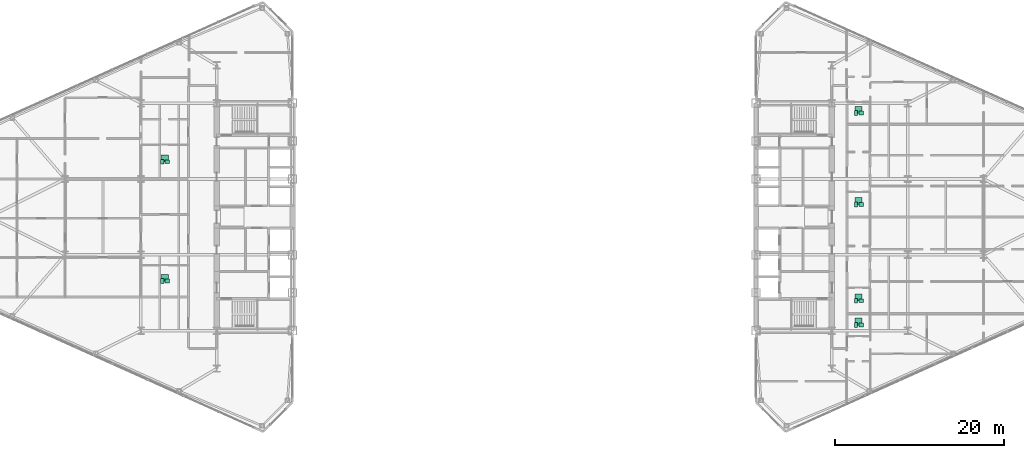
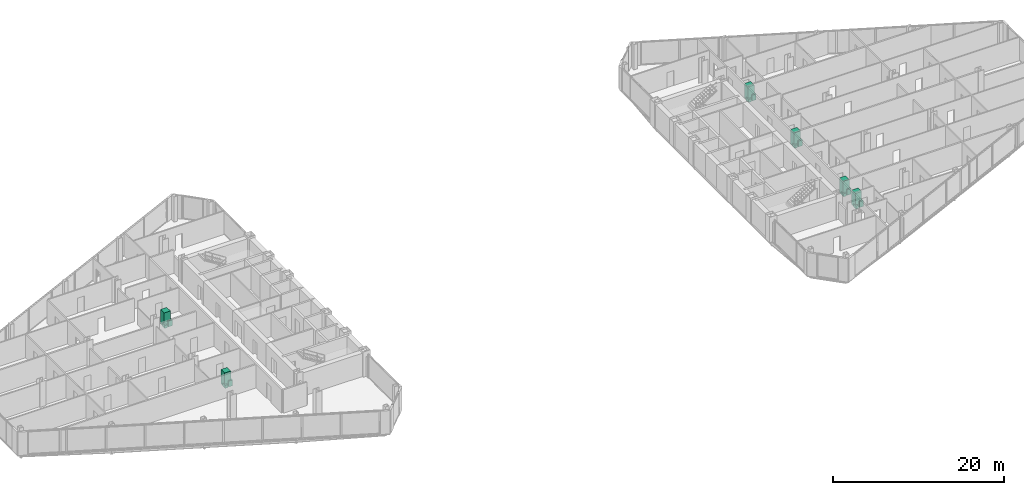
# One storey, part 27 of 27: 18 sanitary terminals.
"""IFC4 building model written with IfcOpenShell, lengths in metres."""

import ifcopenshell
import ifcopenshell.guid

model = None  # the IFC model being written
_history = None  # IfcOwnerHistory: only IFC2X3 demands one
_inside = {}  # id of a spatial element -> (the spatial element, [elements in it])
_under = {}  # id of a project, library or spatial element -> (it, [spatial elements below it])
_declared = {}  # id of a project -> (the project, [libraries it declares])
_typed = {}  # id of a type object -> (the type object, [elements of that type])
_made_of = {}  # id of a material, layer set ... -> (it, [elements and type objects made of it])


def new_model(schema):
    """Start an empty IFC model of exactly this schema.

    Asked for "IFC4X3", IfcOpenShell would pick the latest addendum, in which some entities
    have other attributes; the version numbers below select the first issue.
    IFC2X3 requires an IfcOwnerHistory on every rooted entity: one is made here for all.
    """
    global model, _history
    if schema == "IFC4X3":
        model = ifcopenshell.file(schema_version=(4, 3, 0, 0))
    else:
        model = ifcopenshell.file(schema=schema)
    _inside.clear()
    _under.clear()
    _declared.clear()
    _typed.clear()
    _made_of.clear()
    _history = None
    if model.schema == "IFC2X3":
        org = make("IfcOrganization", Name="unknown")
        user = make(
            "IfcPersonAndOrganization",
            ThePerson=make("IfcPerson", FamilyName="unknown"),
            TheOrganization=org,
        )
        app = make(
            "IfcApplication",
            ApplicationDeveloper=org,
            Version="unknown",
            ApplicationFullName="unknown",
            ApplicationIdentifier="unknown",
        )
        _history = make(
            "IfcOwnerHistory",
            OwningUser=user,
            OwningApplication=app,
            ChangeAction="ADDED",
            CreationDate=0,
        )
    return model


def make(cls, **values):
    """One entity of the class cls with the attributes given. An attribute that is None is left unset."""
    return model.create_entity(
        cls, **{name: value for name, value in values.items() if value is not None}
    )


def rooted(cls, **values):
    """An entity with a GlobalId (a new one), such as an element, a storey or a relation."""
    return make(cls, GlobalId=ifcopenshell.guid.new(), OwnerHistory=_history, **values)


def si_unit(unit_type, name, prefix=None):
    """IfcSIUnit, for example si_unit("LENGTHUNIT", "METRE", prefix="MILLI")."""
    return make("IfcSIUnit", UnitType=unit_type, Prefix=prefix, Name=name)


def assignment(units):
    """IfcUnitAssignment: the units of a project."""
    return None if units is None else make("IfcUnitAssignment", Units=units)


def point(xyz):
    """IfcCartesianPoint."""
    return None if xyz is None else make("IfcCartesianPoint", Coordinates=xyz)


def direction(xyz):
    """IfcDirection."""
    return None if xyz is None else make("IfcDirection", DirectionRatios=xyz)


def frame(location, z_axis=None, x_axis=None):
    """IfcAxis2Placement3D, a coordinate frame: its origin and axes. An axis left out is left unset."""
    return make(
        "IfcAxis2Placement3D",
        Location=point(location),
        Axis=direction(z_axis),
        RefDirection=direction(x_axis),
    )


def frame_2d(location, x_axis=None):
    """IfcAxis2Placement2D, a coordinate frame in the plane: its origin and x axis."""
    return make(
        "IfcAxis2Placement2D", Location=point(location), RefDirection=direction(x_axis)
    )


def origin():
    """The frame at (0, 0, 0) with its axes left unset."""
    return frame((0.0, 0.0, 0.0))


def origin_2d():
    """The frame at (0, 0) in the plane with its x axis left unset."""
    return frame_2d((0.0, 0.0))


def place(relative_to, where):
    """IfcLocalPlacement: puts the frame where relative to a parent placement (None: the world)."""
    return make(
        "IfcLocalPlacement", PlacementRelTo=relative_to, RelativePlacement=where
    )


def context(
    kind, dimensions, precision=None, world=None, true_north=None, identifier=None
):
    """IfcGeometricRepresentationContext, for example the 3D "Model" context."""
    return make(
        "IfcGeometricRepresentationContext",
        ContextIdentifier=identifier,
        ContextType=kind,
        CoordinateSpaceDimension=dimensions,
        Precision=precision,
        WorldCoordinateSystem=world,
        TrueNorth=true_north,
    )


def subcontext(parent, identifier, kind, view, scale=None):
    """IfcGeometricRepresentationSubContext, for example "Body" below "Model"."""
    return make(
        "IfcGeometricRepresentationSubContext",
        ContextIdentifier=identifier,
        ContextType=kind,
        ParentContext=parent,
        TargetScale=scale,
        TargetView=view,
    )


def project(units=None, contexts=None):
    """IfcProject with its units and contexts."""
    return rooted(
        "IfcProject",
        Name="project",
        RepresentationContexts=contexts,
        UnitsInContext=assignment(units),
    )


def spatial(cls, under=None, at=None, **own):
    """A site, building, storey or space (cls), placed at a placement, below another one or the project."""
    s = rooted(cls, ObjectPlacement=at, **own)
    if under is not None:
        _under.setdefault(under.id(), (under, []))[1].append(s)
    return s


def profile(cls, at=None, kind="AREA", **sizes):
    """A parametric profile (cls). Its sizes go by their IFC names, for example OverallWidth=200.0."""
    return make(cls, ProfileType=kind, Position=at, **sizes)


def rectangle(**sizes):
    """IfcRectangleProfileDef."""
    return profile("IfcRectangleProfileDef", **sizes)


def extrude(swept, where, along, depth):
    """IfcExtrudedAreaSolid: the profile swept, set in the frame where, extruded along a direction by depth."""
    return make(
        "IfcExtrudedAreaSolid",
        SweptArea=swept,
        Position=where,
        ExtrudedDirection=direction(along),
        Depth=depth,
    )


def shape(context_of_items, identifier, shape_type, items):
    """IfcShapeRepresentation: the items that make up one representation, for example the "Body"."""
    return make(
        "IfcShapeRepresentation",
        ContextOfItems=context_of_items,
        RepresentationIdentifier=identifier,
        RepresentationType=shape_type,
        Items=items,
    )


def source(mapping_origin, context_of_items, identifier, shape_type, items):
    """IfcRepresentationMap: a shape defined once, which mapped items show again and again."""
    return make(
        "IfcRepresentationMap",
        MappingOrigin=mapping_origin,
        MappedRepresentation=shape(context_of_items, identifier, shape_type, items),
    )


def transform(
    local_origin,
    x_axis=None,
    y_axis=None,
    z_axis=None,
    scale=None,
    scale2=None,
    scale3=None,
    uniform=True,
):
    """IfcCartesianTransformationOperator3D, or its non-uniform kind. x_axis, y_axis, z_axis: its Axis1, 2, 3."""
    if uniform:
        return make(
            "IfcCartesianTransformationOperator3D",
            Axis1=direction(x_axis),
            Axis2=direction(y_axis),
            LocalOrigin=point(local_origin),
            Scale=scale,
            Axis3=direction(z_axis),
        )
    return make(
        "IfcCartesianTransformationOperator3DnonUniform",
        Axis1=direction(x_axis),
        Axis2=direction(y_axis),
        LocalOrigin=point(local_origin),
        Scale=scale,
        Axis3=direction(z_axis),
        Scale2=scale2,
        Scale3=scale3,
    )


def mapped(mapping_source, mapping_target):
    """IfcMappedItem: shows the shape of a source again, moved by a transform."""
    return make(
        "IfcMappedItem", MappingSource=mapping_source, MappingTarget=mapping_target
    )


def material(Name=None, Category=None):
    """IfcMaterial."""
    return make("IfcMaterial", Name=Name, Category=Category)


def made_of(thing, what):
    """Note that an element or type object is made of a material, layer set ...; save() writes the relation."""
    if what is not None:
        _made_of.setdefault(what.id(), (what, []))[1].append(thing)
    return thing


def type_object(cls, material=None, **own):
    """A type object (cls), such as IfcWallType, which elements share."""
    return made_of(rooted(cls, **own), material)


def type_shapes(of_type, sources):
    """Give a type object the sources (RepresentationMaps) that its elements show as mapped items."""
    of_type.RepresentationMaps = sources


def element(
    cls,
    number,
    at=None,
    inside=None,
    cuts=None,
    type_object=None,
    material=None,
    context=None,
    identifier="Body",
    shape_type=None,
    held_by="IfcProductDefinitionShape",
    body=None,
    shapes=None,
    **own,
):
    """One element of the class cls, such as IfcWall. Its Tag is "e" and its number.

    at: its placement. inside: the storey or other place that contains it. cuts: it is an
    opening in that element (IfcRelVoidsElement). A single representation is given by context,
    identifier, shape_type and body (its items); several are given by shapes. held_by: the class
    of the entity that holds the representations. save() writes the other relations.
    """
    e = rooted(cls, Tag="e%d" % number, ObjectPlacement=at, **own)
    if body is not None:
        shapes = [shape(context, identifier, shape_type, body)]
    if shapes is not None:
        e.Representation = make(held_by, Representations=shapes)
    if inside is not None:
        _inside.setdefault(inside.id(), (inside, []))[1].append(e)
    if cuts is not None:
        rooted(
            "IfcRelVoidsElement", RelatingBuildingElement=cuts, RelatedOpeningElement=e
        )
    if type_object is not None:
        _typed.setdefault(type_object.id(), (type_object, []))[1].append(e)
    return made_of(e, material)


def aggregate(whole, parts):
    """IfcRelAggregates: a whole, such as a stair, and the parts it consists of."""
    return rooted("IfcRelAggregates", RelatingObject=whole, RelatedObjects=parts)


def save(model, path):
    """Write the relations noted so far, then the file.

    IfcRelAggregates (storeys below a building ...), IfcRelContainedInSpatialStructure (elements
    in a storey), IfcRelDefinesByType, IfcRelAssociatesMaterial and IfcRelDeclares: one each for
    every whole, place, type object, material and project.
    """
    for whole, parts in _under.values():
        aggregate(whole, parts)
    for where, things in _inside.values():
        rooted(
            "IfcRelContainedInSpatialStructure",
            RelatedElements=things,
            RelatingStructure=where,
        )
    for kind, things in _typed.values():
        rooted("IfcRelDefinesByType", RelatedObjects=things, RelatingType=kind)
    for what, things in _made_of.values():
        rooted("IfcRelAssociatesMaterial", RelatedObjects=things, RelatingMaterial=what)
    for by, libraries in _declared.values():
        rooted("IfcRelDeclares", RelatingContext=by, RelatedDefinitions=libraries)
    model.write(path)


model = new_model("IFC4")

# Units and contexts
model_context = context("Model", 3, precision=1e-05, world=origin(), true_north=direction((0.0, 1.0)))
body_context = subcontext(model_context, "Body", "Model", "MODEL_VIEW")
ifc_project = project(units=[si_unit("LENGTHUNIT", "METRE"), si_unit("AREAUNIT", "SQUARE_METRE"), si_unit("VOLUMEUNIT", "CUBIC_METRE"), si_unit("PLANEANGLEUNIT", "RADIAN"), si_unit("MASSUNIT", "GRAM", prefix="KILO")], contexts=[model_context])

# Site, building, storey
site_placement = place(None, origin())
site = spatial("IfcSite", under=ifc_project, at=site_placement, CompositionType="ELEMENT")
building_placement = place(site_placement, origin())
building = spatial("IfcBuilding", under=site, at=building_placement, Name="Seokmaru Belvedere", CompositionType="ELEMENT")
storey_placement = place(building_placement, frame((0.0, 0.0, 83.699951171875)))
storey = spatial("IfcBuildingStorey", under=building, at=storey_placement, Name="L22", CompositionType="ELEMENT", Elevation=83.699951171875)

# Sanitary terminals
ifc_material_1 = material(Name="Vitreous China Sanitaryware")
sanitary_terminal_type_1 = type_object("IfcSanitaryTerminalType", Name="Wall-Hung Vitreous China WC Pan", PredefinedType="TOILETPAN", material=ifc_material_1)
shared_shape_1 = source(origin(), body_context, "Body", "SweptSolid", [
    extrude(rectangle(XDim=0.3798828125, YDim=0.56005859375, at=origin_2d()), origin(), (0.0, 0.0, 1.0), 0.419921875),
])
type_shapes(sanitary_terminal_type_1, [shared_shape_1])
for number, where, z_axis, x_axis, name in (
    (1, (-42.97509765625, -7.611083984375, 0.0), (0.0, 0.0, 1.0), (1.0, 0.0, 0.0), "L22 Vitreous China WC 0129"),
    (2, (-42.97509765625, 6.5390625, 0.0), (0.0, 0.0, 1.0), (1.0, 0.0, 0.0), "L22 Vitreous China WC 0130"),
    (3, (39.375, -12.822021484375, 0.0), (0.0, 0.0, 1.0), (1.0, 0.0, 0.0), "L22 Vitreous China WC 0131"),
    (4, (39.375, -9.947998046875, 0.0), (0.0, 0.0, 1.0), (1.0, 0.0, 0.0), "L22 Vitreous China WC 0132"),
    (5, (39.375, 1.48388671875, 0.0), (0.0, 0.0, 1.0), (1.0, 0.0, 0.0), "L22 Vitreous China WC 0133"),
    (6, (39.375, 12.322021484375, 0.0), (0.0, 0.0, 1.0), (1.0, 0.0, 0.0), "L22 Vitreous China WC 0134"),
):
    element("IfcSanitaryTerminal", number, at=place(storey_placement, frame(where, z_axis=z_axis, x_axis=x_axis)), inside=storey, type_object=sanitary_terminal_type_1, Name=name, PredefinedType="TOILETPAN", context=body_context, shape_type="MappedRepresentation", body=[
        mapped(shared_shape_1, transform((0.0, 0.0, 0.0), scale=1.0)),
    ])
sanitary_terminal_type_2 = type_object("IfcSanitaryTerminalType", Name="Countertop Ceramic Washhand Basin", PredefinedType="WASHHANDBASIN", material=ifc_material_1)
shared_shape_2 = source(origin(), body_context, "Body", "SweptSolid", [
    extrude(rectangle(XDim=0.550048828125, YDim=0.449951171875, at=origin_2d()), origin(), (0.0, 0.0, 1.0), 0.820068359375),
])
type_shapes(sanitary_terminal_type_2, [shared_shape_2])
for number, where, z_axis, x_axis, name in (
    (7, (-42.375, -7.611083984375, 0.0), (0.0, 0.0, 1.0), (1.0, 0.0, 0.0), "L22 Ceramic Washhand Basin 0129"),
    (8, (-42.375, 6.5390625, 0.0), (0.0, 0.0, 1.0), (1.0, 0.0, 0.0), "L22 Ceramic Washhand Basin 0130"),
    (9, (39.97509765625, -12.822021484375, 0.0), (0.0, 0.0, 1.0), (1.0, 0.0, 0.0), "L22 Ceramic Washhand Basin 0131"),
    (10, (39.97509765625, -9.947998046875, 0.0), (0.0, 0.0, 1.0), (1.0, 0.0, 0.0), "L22 Ceramic Washhand Basin 0132"),
    (11, (39.97509765625, 1.48388671875, 0.0), (0.0, 0.0, 1.0), (1.0, 0.0, 0.0), "L22 Ceramic Washhand Basin 0133"),
    (12, (39.97509765625, 12.322021484375, 0.0), (0.0, 0.0, 1.0), (1.0, 0.0, 0.0), "L22 Ceramic Washhand Basin 0134"),
):
    element("IfcSanitaryTerminal", number, at=place(storey_placement, frame(where, z_axis=z_axis, x_axis=x_axis)), inside=storey, type_object=sanitary_terminal_type_2, Name=name, PredefinedType="WASHHANDBASIN", context=body_context, shape_type="MappedRepresentation", body=[
        mapped(shared_shape_2, transform((0.0, 0.0, 0.0), scale=1.0)),
    ])
ifc_material_2 = material(Name="Stainless Steel 316", Category="steel")
sanitary_terminal_type_3 = type_object("IfcSanitaryTerminalType", Name="Walk-In Thermostatic Rain Shower Enclosure", PredefinedType="SHOWER", material=ifc_material_2)
shared_shape_3 = source(origin(), body_context, "Body", "SweptSolid", [
    extrude(rectangle(XDim=0.85009765625, YDim=0.85009765625, at=origin_2d()), origin(), (0.0, 0.0, 1.0), 2.050048828125),
])
type_shapes(sanitary_terminal_type_3, [shared_shape_3])
for number, where, z_axis, x_axis, name in (
    (13, (-42.675048828125, -7.23095703125, 0.0), (0.0, 0.0, 1.0), (1.0, 0.0, 0.0), "L22 Walk-In Shower 0129"),
    (14, (-42.675048828125, 6.9189453125, 0.0), (0.0, 0.0, 1.0), (1.0, 0.0, 0.0), "L22 Walk-In Shower 0130"),
    (15, (39.675048828125, -12.44189453125, 0.0), (0.0, 0.0, 1.0), (1.0, 0.0, 0.0), "L22 Walk-In Shower 0131"),
    (16, (39.675048828125, -9.568115234375, 0.0), (0.0, 0.0, 1.0), (1.0, 0.0, 0.0), "L22 Walk-In Shower 0132"),
    (17, (39.675048828125, 1.864013671875, 0.0), (0.0, 0.0, 1.0), (1.0, 0.0, 0.0), "L22 Walk-In Shower 0133"),
    (18, (39.675048828125, 12.702880859375, 0.0), (0.0, 0.0, 1.0), (1.0, 0.0, 0.0), "L22 Walk-In Shower 0134"),
):
    element("IfcSanitaryTerminal", number, at=place(storey_placement, frame(where, z_axis=z_axis, x_axis=x_axis)), inside=storey, type_object=sanitary_terminal_type_3, Name=name, PredefinedType="SHOWER", context=body_context, shape_type="MappedRepresentation", body=[
        mapped(shared_shape_3, transform((0.0, 0.0, 0.0), scale=1.0)),
    ])

save(model, "model.ifc")
